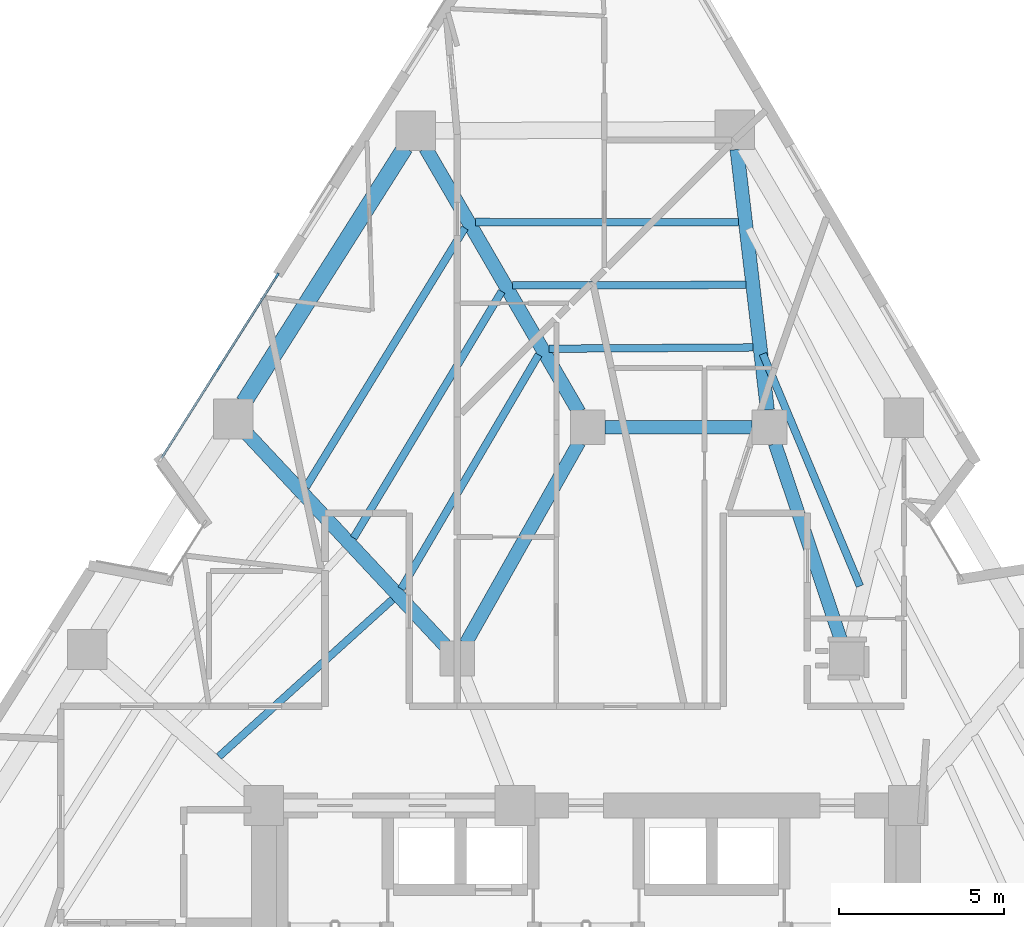
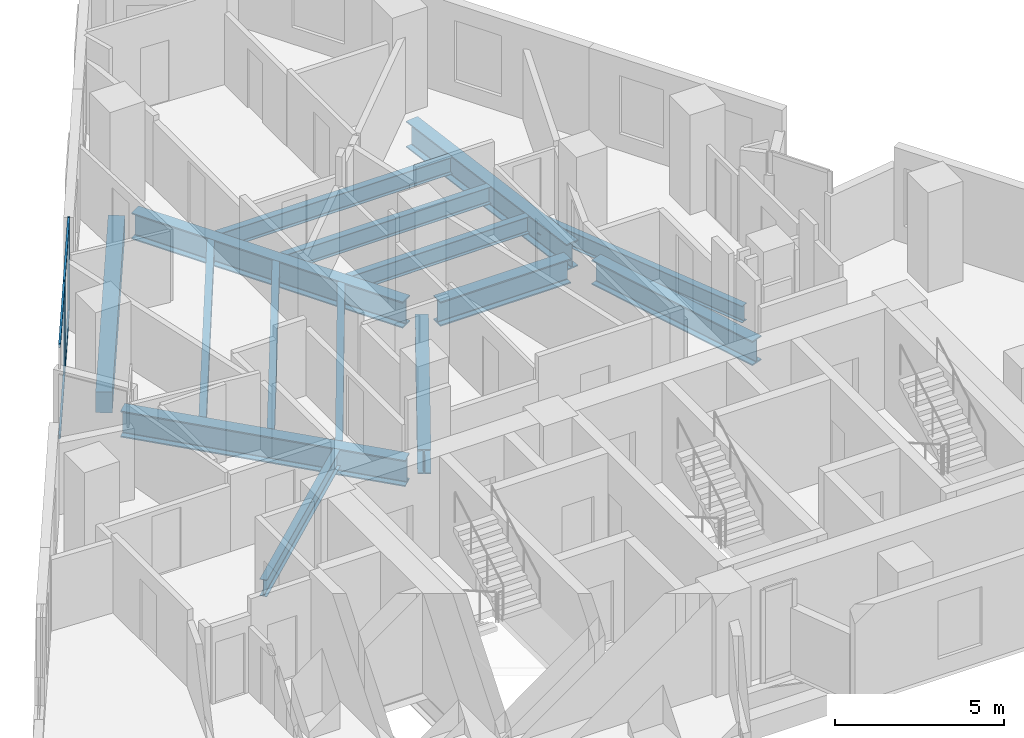
# One storey, part 3 of 12: 15 beams, 6 members, 1 element without a shape of its own.
"""IFC4 building model written with IfcOpenShell, lengths in metres."""

from ifc_helpers import new_model, si_unit, direction, frame, origin, origin_2d, place, context, subcontext, project, spatial, rectangle, i_section, extrude, material, layer, layer_set, material_profile, profile_set, type_object, element, aggregate, save


model = new_model("IFC4")

# Units and contexts
model_context = context("Model", 3, precision=1e-05, world=origin(), true_north=direction((0.0, 1.0)))
body_context = subcontext(model_context, "Body", "Model", "MODEL_VIEW")
ifc_project = project(units=[si_unit("LENGTHUNIT", "METRE"), si_unit("AREAUNIT", "SQUARE_METRE"), si_unit("VOLUMEUNIT", "CUBIC_METRE"), si_unit("PLANEANGLEUNIT", "RADIAN"), si_unit("MASSUNIT", "GRAM", prefix="KILO")], contexts=[model_context])

# Site, building, storey
site_placement = place(None, origin())
site = spatial("IfcSite", under=ifc_project, at=site_placement, CompositionType="ELEMENT")
building_placement = place(site_placement, origin())
building = spatial("IfcBuilding", under=site, at=building_placement, Name="Almagre Mirador Tower", CompositionType="ELEMENT")
storey_placement = place(building_placement, frame((0.0, 0.0, 117.60009765625)))
storey = spatial("IfcBuildingStorey", under=building, at=storey_placement, Name="L29", CompositionType="ELEMENT", Elevation=117.60009765625)

# Beams
ifc_material_1 = material(Name="Steel ASTM A992 Grade 50", Category="steel")
ifc_material_profile_1 = material_profile(ifc_material_1, i_section(OverallWidth=0.22802734375, OverallDepth=0.60791015625, WebThickness=0.01123046875, FlangeThickness=0.017333984375, FilletRadius=0.02001953125, at=origin_2d()), Name="W24X76")
ifc_profile_set_1 = profile_set([ifc_material_profile_1], Name="Steel ASTM A992 Grade 50")
beam_type_1 = type_object("IfcBeamType", Name="BM-JST-W24X76", PredefinedType="JOIST", material=ifc_profile_set_1)
beam_1_placement = place(storey_placement, frame((45.589111328125, 21.390380859375, -0.55419921875), z_axis=(-0.385893914422, 0.922543162574, 0.0), x_axis=(-0.922543162574, -0.385893914422, 0.0)))
element("IfcBeam", 1, at=beam_1_placement, inside=storey, type_object=beam_type_1, Name="L29 secondary floor joist PC07-PC08.3", PredefinedType="JOIST", context=body_context, shape_type="SweptSolid", body=[
    extrude(i_section(OverallWidth=0.22802734375, OverallDepth=0.60791015625, WebThickness=0.01123046875, FlangeThickness=0.017333984375, FilletRadius=0.02001953125, at=origin_2d()), origin(), (0.0, 0.0, 1.0), 7.617919921875),
])
beam_2_placement = place(storey_placement, frame((41.913330078125, 32.397216796875, -0.55419921875), z_axis=(-0.999998960599, 0.001441804747, 0.0), x_axis=(-0.001441804747, -0.999998960599, 0.0)))
element("IfcBeam", 2, at=beam_2_placement, inside=storey, type_object=beam_type_1, Name="L29 secondary floor joist PC08-PC09.1", PredefinedType="JOIST", context=body_context, shape_type="SweptSolid", body=[
    extrude(i_section(OverallWidth=0.22802734375, OverallDepth=0.60791015625, WebThickness=0.01123046875, FlangeThickness=0.017333984375, FilletRadius=0.02001953125, at=origin_2d()), origin(), (0.0, 0.0, 1.0), 7.95849609375),
])
beam_3_placement = place(storey_placement, frame((42.134765625, 30.504638671875, -0.55419921875), z_axis=(-0.99999819421, -0.00190041466, 0.0), x_axis=(0.00190041466, -0.99999819421, 0.0)))
element("IfcBeam", 3, at=beam_3_placement, inside=storey, type_object=beam_type_1, Name="L29 secondary floor joist PC08-PC09.2", PredefinedType="JOIST", context=body_context, shape_type="SweptSolid", body=[
    extrude(i_section(OverallWidth=0.22802734375, OverallDepth=0.60791015625, WebThickness=0.01123046875, FlangeThickness=0.017333984375, FilletRadius=0.02001953125, at=origin_2d()), origin(), (0.0, 0.0, 1.0), 7.065673828125),
])
beam_4_placement = place(storey_placement, frame((42.356201171875, 28.61181640625, -0.55419921875), z_axis=(-0.999980965144, -0.00617003641, 0.0), x_axis=(0.00617003641, -0.999980965144, 0.0)))
element("IfcBeam", 4, at=beam_4_placement, inside=storey, type_object=beam_type_1, Name="L29 secondary floor joist PC08-PC09.3", PredefinedType="JOIST", context=body_context, shape_type="SweptSolid", body=[
    extrude(i_section(OverallWidth=0.22802734375, OverallDepth=0.60791015625, WebThickness=0.01123046875, FlangeThickness=0.017333984375, FilletRadius=0.02001953125, at=origin_2d()), origin(), (0.0, 0.0, 1.0), 6.172607421875),
])
beam_5_placement = place(storey_placement, frame((33.6328125, 32.228759765625, -0.55419921875), z_axis=(-0.522787398252, -0.852463099629, 0.0), x_axis=(0.852463099629, -0.522787398252, 0.0)))
element("IfcBeam", 5, at=beam_5_placement, inside=storey, type_object=beam_type_1, Name="L29 secondary floor joist PC09-PC10.1", PredefinedType="JOIST", context=body_context, shape_type="SweptSolid", body=[
    extrude(i_section(OverallWidth=0.22802734375, OverallDepth=0.60791015625, WebThickness=0.01123046875, FlangeThickness=0.017333984375, FilletRadius=0.02001953125, at=origin_2d()), origin(), (0.0, 0.0, 1.0), 9.196044921875),
])
beam_6_placement = place(storey_placement, frame((34.748779296875, 30.309326171875, -0.55419921875), z_axis=(-0.515031881697, -0.857171021929, 0.0), x_axis=(0.857171021929, -0.515031881697, 0.0)))
element("IfcBeam", 6, at=beam_6_placement, inside=storey, type_object=beam_type_1, Name="L29 secondary floor joist PC09-PC10.2", PredefinedType="JOIST", context=body_context, shape_type="SweptSolid", body=[
    extrude(i_section(OverallWidth=0.22802734375, OverallDepth=0.60791015625, WebThickness=0.01123046875, FlangeThickness=0.017333984375, FilletRadius=0.02001953125, at=origin_2d()), origin(), (0.0, 0.0, 1.0), 8.7041015625),
])
beam_7_placement = place(storey_placement, frame((35.864990234375, 28.389892578125, -0.55419921875), z_axis=(-0.506354843964, -0.862325212431, 0.0), x_axis=(0.862325212431, -0.506354843964, 0.0)))
element("IfcBeam", 7, at=beam_7_placement, inside=storey, type_object=beam_type_1, Name="L29 secondary floor joist PC09-PC10.3", PredefinedType="JOIST", context=body_context, shape_type="SweptSolid", body=[
    extrude(i_section(OverallWidth=0.22802734375, OverallDepth=0.60791015625, WebThickness=0.01123046875, FlangeThickness=0.017333984375, FilletRadius=0.02001953125, at=origin_2d()), origin(), (0.0, 0.0, 1.0), 8.212890625),
])
beam_8_placement = place(storey_placement, frame((31.4423828125, 20.9833984375, -0.55419921875), z_axis=(-0.74150556393, -0.670946718199, 0.0), x_axis=(0.670946718199, -0.74150556393, 0.0)))
element("IfcBeam", 8, at=beam_8_placement, inside=storey, type_object=beam_type_1, Name="L29 secondary floor joist PC10-PC11.3", PredefinedType="JOIST", context=body_context, shape_type="SweptSolid", body=[
    extrude(i_section(OverallWidth=0.22802734375, OverallDepth=0.60791015625, WebThickness=0.01123046875, FlangeThickness=0.017333984375, FilletRadius=0.02001953125, at=origin_2d()), origin(), (0.0, 0.0, 1.0), 7.082763671875),
])
ifc_material_2 = material(Name="Precast concrete C50/60", Category="concrete")
ifc_material_profile_2 = material_profile(ifc_material_2, rectangle(XDim=0.5, YDim=0.75, at=origin_2d()), Name="RC500X750")
ifc_profile_set_2 = profile_set([ifc_material_profile_2], Name="Precast concrete C50/60")
beam_type_2 = type_object("IfcBeamType", Name="BM-SPN-RC500X750", PredefinedType="SPANDREL", material=ifc_profile_set_2)
beam_9_placement = place(storey_placement, frame((31.821044921875, 34.658935546875, -0.625), z_axis=(-0.534869929659, -0.844934410677, 0.0), x_axis=(0.844934410677, -0.534869929659, 0.0)))
element("IfcBeam", 9, at=beam_9_placement, inside=storey, type_object=beam_type_2, Name="L29 perimeter spandrel beam PC09-PC10", PredefinedType="SPANDREL", context=body_context, shape_type="SweptSolid", body=[
    extrude(rectangle(XDim=0.5, YDim=0.75, at=origin_2d()), origin(), (0.0, 0.0, 1.0), 9.120361328125),
])
ifc_material_3 = material(Name="Steel ASTM A992 Grade 50", Category="steel")
ifc_material_profile_3 = material_profile(ifc_material_3, i_section(OverallWidth=0.404052734375, OverallDepth=0.884033203125, WebThickness=0.0244140625, FlangeThickness=0.0439453125, FilletRadius=0.02490234375, at=origin_2d()), Name="W33X291")
ifc_profile_set_3 = profile_set([ifc_material_profile_3], Name="Steel ASTM A992 Grade 50")
beam_type_3 = type_object("IfcBeamType", Name="BM-STL-W33X291", PredefinedType="BEAM", material=ifc_profile_set_3)
beam_10_placement = place(storey_placement, frame((37.875, 26.199951171875, -0.692138671875), z_axis=(1.0, 0.0, 0.0), x_axis=(0.0, 1.0, 0.0)))
element("IfcBeam", 10, at=beam_10_placement, inside=storey, type_object=beam_type_3, Name="L29 core tie girder MC7-MC6", PredefinedType="BEAM", context=body_context, shape_type="SweptSolid", body=[
    extrude(i_section(OverallWidth=0.404052734375, OverallDepth=0.884033203125, WebThickness=0.0244140625, FlangeThickness=0.0439453125, FilletRadius=0.02490234375, at=origin_2d()), origin(), (0.0, 0.0, 1.0), 4.449951171875),
])
beam_11_placement = place(storey_placement, frame((43.01708984375, 25.702392578125, -0.692138671875), z_axis=(0.318262189587, -0.948002731367, 0.0), x_axis=(0.948002731367, 0.318262189587, 0.0)))
element("IfcBeam", 11, at=beam_11_placement, inside=storey, type_object=beam_type_3, Name="L29 core tie girder MC6-MC5", PredefinedType="BEAM", context=body_context, shape_type="SweptSolid", body=[
    extrude(i_section(OverallWidth=0.404052734375, OverallDepth=0.884033203125, WebThickness=0.0244140625, FlangeThickness=0.0439453125, FilletRadius=0.02490234375, at=origin_2d()), origin(), (0.0, 0.0, 1.0), 6.333984375),
])
beam_12_placement = place(storey_placement, frame((37.092041015625, 25.742919921875, -0.692138671875), z_axis=(-0.491443510044, -0.870909453638, 0.0), x_axis=(0.870909453638, -0.491443510044, 0.0)))
element("IfcBeam", 12, at=beam_12_placement, inside=storey, type_object=beam_type_3, Name="L29 core tie girder MC7-MC8", PredefinedType="BEAM", context=body_context, shape_type="SweptSolid", body=[
    extrude(i_section(OverallWidth=0.404052734375, OverallDepth=0.884033203125, WebThickness=0.0244140625, FlangeThickness=0.0439453125, FilletRadius=0.02490234375, at=origin_2d()), origin(), (0.0, 0.0, 1.0), 6.98779296875),
])
ifc_material_4 = material(Name="Steel ASTM A992 Grade 50", Category="steel")
ifc_material_profile_4 = material_profile(ifc_material_4, i_section(OverallWidth=0.423095703125, OverallDepth=0.947998046875, WebThickness=0.02392578125, FlangeThickness=0.042724609375, FilletRadius=0.028076171875, at=origin_2d()), Name="W36X302")
ifc_profile_set_4 = profile_set([ifc_material_profile_4], Name="Steel ASTM A992 Grade 50")
beam_type_4 = type_object("IfcBeamType", Name="BM-STL-W36X302", PredefinedType="BEAM", material=ifc_profile_set_4)
beam_13_placement = place(storey_placement, frame((41.86669921875, 34.60400390625, -0.72412109375), z_axis=(0.116220098543, -0.993223483761, 0.0), x_axis=(0.993223483761, 0.116220098543, 0.0)))
element("IfcBeam", 13, at=beam_13_placement, inside=storey, type_object=beam_type_4, Name="L29 radial floor girder PC08-MC6", PredefinedType="BEAM", context=body_context, shape_type="SweptSolid", body=[
    extrude(i_section(OverallWidth=0.423095703125, OverallDepth=0.947998046875, WebThickness=0.02392578125, FlangeThickness=0.042724609375, FilletRadius=0.028076171875, at=origin_2d()), origin(), (0.0, 0.0, 1.0), 7.936279296875),
])
beam_14_placement = place(storey_placement, frame((32.443359375, 34.647216796875, -0.72412109375), z_axis=(0.502267404593, -0.864712353493, 0.0), x_axis=(0.864712353493, 0.502267404593, 0.0)))
element("IfcBeam", 14, at=beam_14_placement, inside=storey, type_object=beam_type_4, Name="L29 radial floor girder PC09-MC7", PredefinedType="BEAM", context=body_context, shape_type="SweptSolid", body=[
    extrude(i_section(OverallWidth=0.423095703125, OverallDepth=0.947998046875, WebThickness=0.02392578125, FlangeThickness=0.042724609375, FilletRadius=0.028076171875, at=origin_2d()), origin(), (0.0, 0.0, 1.0), 9.24365234375),
])
beam_15_placement = place(storey_placement, frame((27.031982421875, 26.0078125, -0.72412109375), z_axis=(0.683137553651, -0.73028972524, 0.0), x_axis=(0.73028972524, 0.683137553651, 0.0)))
element("IfcBeam", 15, at=beam_15_placement, inside=storey, type_object=beam_type_4, Name="L29 radial floor girder PC10-MC8", PredefinedType="BEAM", context=body_context, shape_type="SweptSolid", body=[
    extrude(i_section(OverallWidth=0.423095703125, OverallDepth=0.947998046875, WebThickness=0.02392578125, FlangeThickness=0.042724609375, FilletRadius=0.028076171875, at=origin_2d()), origin(), (0.0, 0.0, 1.0), 8.796875),
])

# Curtain wall, members
ifc_material_5 = material(Name="Black anodized aluminium", Category="aluminium")
ifc_layer = layer(ifc_material_5, 0.199951171875)
ifc_layer_set = layer_set([ifc_layer], Name="Black anodized aluminium")
curtain_wall_type = type_object("IfcCurtainWallType", Name="CW-RES-H-SYS", PredefinedType="NOTDEFINED", material=ifc_layer_set)
curtain_wall_placement = place(storey_placement, origin())
curtain_wall = element("IfcCurtainWall", 16, at=curtain_wall_placement, inside=storey, type_object=curtain_wall_type, Name="L29 curtain wall run 02", PredefinedType="NOTDEFINED")
ifc_material_6 = material(Name="Black anodized aluminium", Category="aluminium")
ifc_material_profile_5 = material_profile(ifc_material_6, rectangle(XDim=0.06494140625, YDim=0.179931640625, at=origin_2d()), Name="CWM65X180")
ifc_profile_set_5 = profile_set([ifc_material_profile_5], Name="Black anodized aluminium")
member_type_1 = type_object("IfcMemberType", Name="MBR-CWM65X180", PredefinedType="MULLION", material=ifc_profile_set_5)
member_1_placement = place(storey_placement, frame((26.190185546875, 28.007568359375, 0.0), z_axis=(0.0, 0.0, 1.0), x_axis=(-0.844923540641, 0.534887100678, 0.0)))
member_1 = element("IfcMember", 17, at=member_1_placement, type_object=member_type_1, Name="CW-3 mullion 2", PredefinedType="MULLION", context=body_context, shape_type="SweptSolid", body=[
    extrude(rectangle(XDim=0.06494140625, YDim=0.179931640625, at=origin_2d()), origin(), (0.0, 0.0, 1.0), 3.349853515625),
])
member_2_placement = place(storey_placement, frame((27.947021484375, 30.782470703125, 0.0), z_axis=(0.0, 0.0, 1.0), x_axis=(-0.844923540641, 0.534887100678, 0.0)))
member_2 = element("IfcMember", 18, at=member_2_placement, type_object=member_type_1, Name="CW-3 mullion 3", PredefinedType="MULLION", context=body_context, shape_type="SweptSolid", body=[
    extrude(rectangle(XDim=0.06494140625, YDim=0.179931640625, at=origin_2d()), origin(), (0.0, 0.0, 1.0), 3.349853515625),
])
ifc_material_7 = material(Name="Black anodized aluminium", Category="aluminium")
ifc_material_profile_6 = material_profile(ifc_material_7, rectangle(XDim=0.06494140625, YDim=0.14990234375, at=origin_2d()), Name="CWT65X150")
ifc_profile_set_6 = profile_set([ifc_material_profile_6], Name="Black anodized aluminium")
member_type_2 = type_object("IfcMemberType", Name="MBR-CWT65X150", PredefinedType="USERDEFINED", material=ifc_profile_set_6)
member_3_placement = place(storey_placement, frame((24.45068359375, 25.260009765625, 0.032470703125), z_axis=(0.534945630196, 0.844886485117, 0.0), x_axis=(-0.844886485117, 0.534945630196, 0.0)))
member_3 = element("IfcMember", 19, at=member_3_placement, type_object=member_type_2, Name="CW-3 transom 1.1", ObjectType="TRANSOM", PredefinedType="USERDEFINED", context=body_context, shape_type="SweptSolid", body=[
    extrude(rectangle(XDim=0.06494140625, YDim=0.14990234375, at=origin_2d()), origin(), (0.0, 0.0, 1.0), 3.21923828125),
])
member_4_placement = place(storey_placement, frame((24.45068359375, 25.260009765625, 3.3173828125), z_axis=(0.534945630196, 0.844886485117, 0.0), x_axis=(-0.844886485117, 0.534945630196, 0.0)))
member_4 = element("IfcMember", 20, at=member_4_placement, type_object=member_type_2, Name="CW-3 transom 1.2", ObjectType="TRANSOM", PredefinedType="USERDEFINED", context=body_context, shape_type="SweptSolid", body=[
    extrude(rectangle(XDim=0.06494140625, YDim=0.14990234375, at=origin_2d()), origin(), (0.0, 0.0, 1.0), 3.21923828125),
])
member_5_placement = place(storey_placement, frame((26.20751953125, 28.034912109375, 0.032470703125), z_axis=(0.534857219873, 0.844942456236, 0.0), x_axis=(-0.844942456236, 0.534857219873, 0.0)))
member_5 = element("IfcMember", 21, at=member_5_placement, type_object=member_type_2, Name="CW-3 transom 2.1", ObjectType="TRANSOM", PredefinedType="USERDEFINED", context=body_context, shape_type="SweptSolid", body=[
    extrude(rectangle(XDim=0.06494140625, YDim=0.14990234375, at=origin_2d()), origin(), (0.0, 0.0, 1.0), 3.219482421875),
])
member_6_placement = place(storey_placement, frame((26.20751953125, 28.034912109375, 3.3173828125), z_axis=(0.534857219873, 0.844942456236, 0.0), x_axis=(-0.844942456236, 0.534857219873, 0.0)))
member_6 = element("IfcMember", 22, at=member_6_placement, type_object=member_type_2, Name="CW-3 transom 2.2", ObjectType="TRANSOM", PredefinedType="USERDEFINED", context=body_context, shape_type="SweptSolid", body=[
    extrude(rectangle(XDim=0.06494140625, YDim=0.14990234375, at=origin_2d()), origin(), (0.0, 0.0, 1.0), 3.219482421875),
])
aggregate(curtain_wall, [member_1, member_2, member_3, member_4, member_5, member_6])

save(model, "model.ifc")
